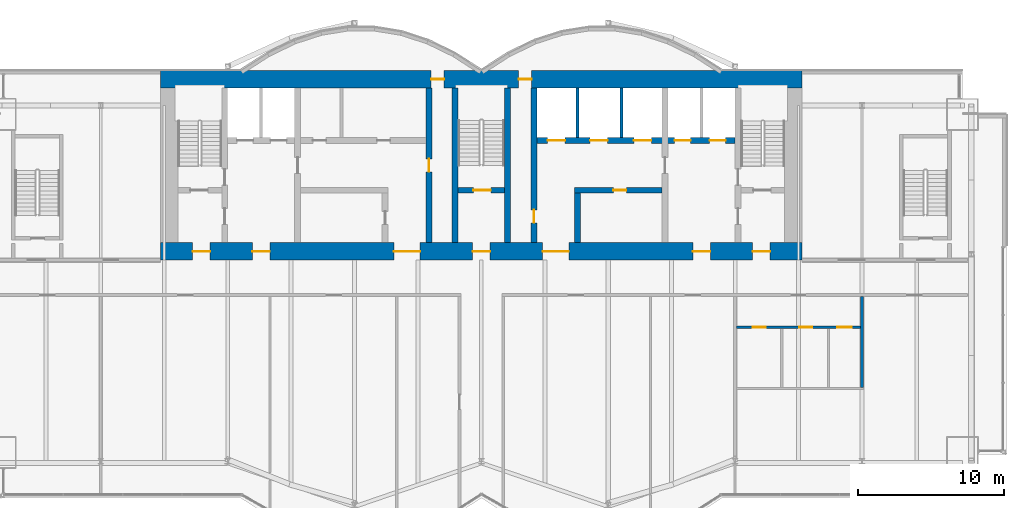
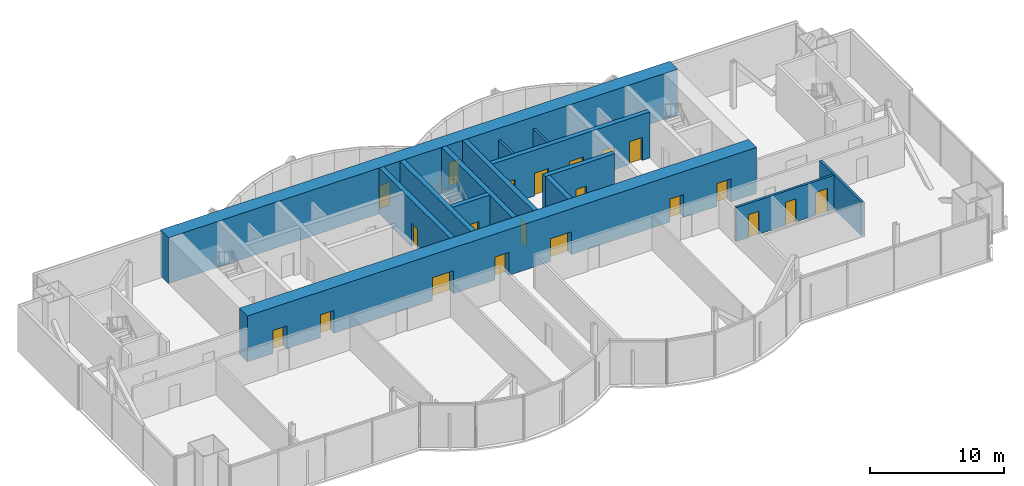
# One storey, part 14 of 19: 21 doors, 14 walls, 21 openings.
"""IFC4 building model written with IfcOpenShell, lengths in metres."""

from ifc_helpers import new_model, si_unit, direction, frame, frame_2d, origin, place, context, subcontext, project, spatial, rectangle, extrude, material, layer, layer_set, type_object, element, fill, save


model = new_model("IFC4")

# Units and contexts
model_context = context("Model", 3, precision=1e-05, world=origin(), true_north=direction((0.0, 1.0)))
body_context = subcontext(model_context, "Body", "Model", "MODEL_VIEW")
ifc_project = project(units=[si_unit("LENGTHUNIT", "METRE"), si_unit("AREAUNIT", "SQUARE_METRE"), si_unit("VOLUMEUNIT", "CUBIC_METRE"), si_unit("PLANEANGLEUNIT", "RADIAN"), si_unit("MASSUNIT", "GRAM", prefix="KILO")], contexts=[model_context])

# Site, building, storey
site_placement = place(None, origin())
site = spatial("IfcSite", under=ifc_project, at=site_placement, CompositionType="ELEMENT")
building_placement = place(site_placement, origin())
building = spatial("IfcBuilding", under=site, at=building_placement, Name="Bicima Exchange Tower", CompositionType="ELEMENT")
storey_placement = place(building_placement, frame((0.0, 0.0, 258.199951171875)))
storey = spatial("IfcBuildingStorey", under=building, at=storey_placement, Name="L58", CompositionType="ELEMENT", Elevation=258.199951171875)

# Walls
ifc_material_1 = material(Name="Gypsum board partition")
ifc_layer_1 = layer(ifc_material_1, 0.199951171875)
ifc_layer_set_1 = layer_set([ifc_layer_1], Name="Gypsum board partition")
wall_type_1 = type_object("IfcWallType", Name="Fire-rated gypsum partition 200 EI120", PredefinedType="PARTITIONING", material=ifc_layer_set_1)
for number, where, z_axis, x_axis, name in (
    (1, (6.60009765625, -4.60009765625, 0.0), (0.0, 0.0, 1.0), (0.0, 1.0, 0.0), "partition wall 18"),
    (2, (9.60009765625, -4.60009765625, 0.0), (0.0, 0.0, 1.0), (0.0, 1.0, 0.0), "partition wall 19"),
):
    element("IfcWall", number, at=place(storey_placement, frame(where, z_axis=z_axis, x_axis=x_axis)), inside=storey, type_object=wall_type_1, Name=name, PredefinedType="PARTITIONING", context=body_context, shape_type="SweptSolid", body=[
        extrude(rectangle(XDim=3.400146484375, YDim=0.199951171875, at=frame_2d((1.7001953125, 0.0))), origin(), (0.0, 0.0, 1.0), 3.1181640625),
    ])

# Wall, openings, doors
ifc_layer_2 = layer(ifc_material_1, 0.199951171875)
ifc_layer_set_2 = layer_set([ifc_layer_2], Name="Gypsum board partition")
wall_type_2 = type_object("IfcWallType", Name="Fire-rated gypsum partition 200 EI60", PredefinedType="PARTITIONING", material=ifc_layer_set_2)
wall_1_placement = place(storey_placement, frame((17.5, -17.60009765625, 0.0), z_axis=(0.0, 0.0, 1.0), x_axis=(1.0, 0.0, 0.0)))
wall_1 = element("IfcWall", 3, at=wall_1_placement, inside=storey, type_object=wall_type_2, Name="partition wall 2", PredefinedType="PARTITIONING", context=body_context, shape_type="SweptSolid", body=[
    extrude(rectangle(XDim=8.5, YDim=0.199951171875, at=frame_2d((4.25, 0.0))), origin(), (0.0, 0.0, 1.0), 3.1181640625),
])
opening_1_placement = place(wall_1_placement, frame((1.10009765625, 0.0, 0.0)))
opening_1 = element("IfcOpeningElement", 4, at=opening_1_placement, cuts=wall_1, Name="Opening L58-014", PredefinedType="OPENING", context=body_context, shape_type="SweptSolid", body=[
    extrude(rectangle(XDim=0.89990234375, YDim=2.10009765625, at=frame_2d((0.449951171875, 1.050048828125))), frame((0.0, 0.11181640625, 0.0), z_axis=(0.0, -1.0, 0.0), x_axis=(1.0, 0.0, 0.0)), (0.0, 0.0, 1.0), 0.223876953125),
])
opening_2_placement = place(wall_1_placement, frame((4.300048828125, 0.0, 0.0)))
opening_2 = element("IfcOpeningElement", 5, at=opening_2_placement, cuts=wall_1, Name="Opening L58-015", PredefinedType="OPENING", context=body_context, shape_type="SweptSolid", body=[
    extrude(rectangle(XDim=0.89990234375, YDim=2.10009765625, at=frame_2d((0.449951171875, 1.050048828125))), frame((0.0, 0.11181640625, 0.0), z_axis=(0.0, -1.0, 0.0), x_axis=(1.0, 0.0, 0.0)), (0.0, 0.0, 1.0), 0.223876953125),
])
opening_3_placement = place(wall_1_placement, frame((6.89990234375, 0.0, 0.0)))
opening_3 = element("IfcOpeningElement", 6, at=opening_3_placement, cuts=wall_1, Name="Opening L58-016", PredefinedType="OPENING", context=body_context, shape_type="SweptSolid", body=[
    extrude(rectangle(XDim=1.0, YDim=2.10009765625, at=frame_2d((0.5, 1.050048828125))), frame((0.0, 0.11181640625, 0.0), z_axis=(0.0, -1.0, 0.0), x_axis=(1.0, 0.0, 0.0)), (0.0, 0.0, 1.0), 0.223876953125),
])
ifc_material_2 = material(Name="Steel fire door leaf", Category="steel")
door_type_1 = type_object("IfcDoorType", Name="Door 1000 swing FD30S", OperationType="SINGLE_SWING_LEFT", PredefinedType="DOOR", material=ifc_material_2)
door_1_placement = place(opening_3_placement, frame((1.0, 0.0, 0.0), z_axis=(0.0, 0.0, 1.0), x_axis=(-1.0, 0.0, 0.0)))
door_1 = element("IfcDoor", 7, at=door_1_placement, inside=storey, type_object=door_type_1, Name="Door", OperationType="SINGLE_SWING_LEFT", OverallHeight=2.10009765625, OverallWidth=1.0, PredefinedType="DOOR", context=body_context, shape_type="SweptSolid", body=[
    extrude(rectangle(XDim=1.0, YDim=2.10009765625, at=frame_2d((0.5, 1.050048828125))), frame((0.0, 0.02490234375, 0.0), z_axis=(0.0, -1.0, 0.0), x_axis=(1.0, 0.0, 0.0)), (0.0, 0.0, 1.0), 0.050048828125),
])
fill(opening_3, door_1)
door_type_2 = type_object("IfcDoorType", Name="Door 900 swing FD30S", OperationType="SINGLE_SWING_LEFT", PredefinedType="DOOR", material=ifc_material_2)
door_2_placement = place(opening_1_placement, frame((0.89990234375, 0.0, 0.0), z_axis=(0.0, 0.0, 1.0), x_axis=(-1.0, 0.0, 0.0)))
door_2 = element("IfcDoor", 8, at=door_2_placement, inside=storey, type_object=door_type_2, Name="Door", OperationType="SINGLE_SWING_RIGHT", OverallHeight=2.10009765625, OverallWidth=0.89990234375, PredefinedType="DOOR", context=body_context, shape_type="SweptSolid", body=[
    extrude(rectangle(XDim=0.89990234375, YDim=2.10009765625, at=frame_2d((0.449951171875, 1.050048828125))), frame((0.0, 0.02490234375, 0.0), z_axis=(0.0, -1.0, 0.0), x_axis=(1.0, 0.0, 0.0)), (0.0, 0.0, 1.0), 0.050048828125),
])
fill(opening_1, door_2)
door_3_placement = place(opening_2_placement, frame((0.89990234375, 0.0, 0.0), z_axis=(0.0, 0.0, 1.0), x_axis=(-1.0, 0.0, 0.0)))
door_3 = element("IfcDoor", 9, at=door_3_placement, inside=storey, type_object=door_type_2, Name="Door", OperationType="SINGLE_SWING_RIGHT", OverallHeight=2.10009765625, OverallWidth=0.89990234375, PredefinedType="DOOR", context=body_context, shape_type="SweptSolid", body=[
    extrude(rectangle(XDim=0.89990234375, YDim=2.10009765625, at=frame_2d((0.449951171875, 1.050048828125))), frame((0.0, 0.02490234375, 0.0), z_axis=(0.0, -1.0, 0.0), x_axis=(1.0, 0.0, 0.0)), (0.0, 0.0, 1.0), 0.050048828125),
])
fill(opening_2, door_3)

# Wall
wall_2_placement = place(storey_placement, frame((26.10009765625, -21.72509765625, 0.0), z_axis=(0.0, 0.0, 1.0), x_axis=(0.0, 1.0, 0.0)))
element("IfcWall", 10, at=wall_2_placement, inside=storey, type_object=wall_type_2, Name="partition wall 25", PredefinedType="PARTITIONING", context=body_context, shape_type="SweptSolid", body=[
    extrude(rectangle(XDim=6.22509765625, YDim=0.199951171875, at=frame_2d((3.112548828125, 0.0))), origin(), (0.0, 0.0, 1.0), 3.1181640625),
])

# Wall, openings, doors
ifc_material_3 = material(Name="Concrete C40/50", Category="concrete")
ifc_layer_3 = layer(ifc_material_3, 1.199951171875)
ifc_layer_set_3 = layer_set([ifc_layer_3], Name="Concrete C40/50")
wall_type_3 = type_object("IfcWallType", Name="RC core wall 1200 C40/50", PredefinedType="SHEAR", material=ifc_layer_set_3)
wall_3_placement = place(storey_placement, frame((-22.0, -0.60009765625, 0.0), z_axis=(0.0, 0.0, 1.0), x_axis=(1.0, 0.0, 0.0)))
wall_3 = element("IfcWall", 11, at=wall_3_placement, inside=storey, type_object=wall_type_3, Name="Core wall north", PredefinedType="SHEAR", context=body_context, shape_type="SweptSolid", body=[
    extrude(rectangle(XDim=44.0, YDim=1.199951171875, at=frame_2d((22.0, 0.0))), origin(), (0.0, 0.0, 1.0), 4.199951171875),
])
opening_4_placement = place(wall_3_placement, frame((18.550048828125, 0.0, 0.0)))
opening_4 = element("IfcOpeningElement", 12, at=opening_4_placement, cuts=wall_3, Name="Opening L58-C16", PredefinedType="OPENING", context=body_context, shape_type="SweptSolid", body=[
    extrude(rectangle(XDim=0.89990234375, YDim=2.10009765625, at=frame_2d((0.449951171875, 1.050048828125))), frame((0.0, 0.61181640625, 0.0), z_axis=(0.0, -1.0, 0.0), x_axis=(1.0, 0.0, 0.0)), (0.0, 0.0, 1.0), 1.223876953125),
])
opening_5_placement = place(wall_3_placement, frame((24.550048828125, 0.0, 0.0)))
opening_5 = element("IfcOpeningElement", 13, at=opening_5_placement, cuts=wall_3, Name="Opening L58-C17", PredefinedType="OPENING", context=body_context, shape_type="SweptSolid", body=[
    extrude(rectangle(XDim=0.89990234375, YDim=2.10009765625, at=frame_2d((0.449951171875, 1.050048828125))), frame((0.0, 0.61181640625, 0.0), z_axis=(0.0, -1.0, 0.0), x_axis=(1.0, 0.0, 0.0)), (0.0, 0.0, 1.0), 1.223876953125),
])
door_4_placement = place(opening_4_placement, origin())
door_4 = element("IfcDoor", 14, at=door_4_placement, inside=storey, type_object=door_type_2, Name="Core door", OperationType="SINGLE_SWING_LEFT", OverallHeight=2.10009765625, OverallWidth=0.89990234375, PredefinedType="DOOR", context=body_context, shape_type="SweptSolid", body=[
    extrude(rectangle(XDim=0.89990234375, YDim=2.10009765625, at=frame_2d((0.449951171875, 1.050048828125))), frame((0.0, 0.02490234375, 0.0), z_axis=(0.0, -1.0, 0.0), x_axis=(1.0, 0.0, 0.0)), (0.0, 0.0, 1.0), 0.050048828125),
])
fill(opening_4, door_4)
door_5_placement = place(opening_5_placement, origin())
door_5 = element("IfcDoor", 15, at=door_5_placement, inside=storey, type_object=door_type_2, Name="Core door", OperationType="SINGLE_SWING_LEFT", OverallHeight=2.10009765625, OverallWidth=0.89990234375, PredefinedType="DOOR", context=body_context, shape_type="SweptSolid", body=[
    extrude(rectangle(XDim=0.89990234375, YDim=2.10009765625, at=frame_2d((0.449951171875, 1.050048828125))), frame((0.0, 0.02490234375, 0.0), z_axis=(0.0, -1.0, 0.0), x_axis=(1.0, 0.0, 0.0)), (0.0, 0.0, 1.0), 0.050048828125),
])
fill(opening_5, door_5)

wall_4_placement = place(storey_placement, frame((-22.0, -12.39990234375, 0.0), z_axis=(0.0, 0.0, 1.0), x_axis=(1.0, 0.0, 0.0)))
wall_4 = element("IfcWall", 16, at=wall_4_placement, inside=storey, type_object=wall_type_3, Name="Core wall south", PredefinedType="SHEAR", context=body_context, shape_type="SweptSolid", body=[
    extrude(rectangle(XDim=44.0, YDim=1.199951171875, at=frame_2d((22.0, 0.0))), origin(), (0.0, 0.0, 1.0), 4.199951171875),
])
opening_6_placement = place(wall_4_placement, frame((2.199951171875, 0.0, 0.0)))
opening_6 = element("IfcOpeningElement", 17, at=opening_6_placement, cuts=wall_4, Name="Opening L58-C18", PredefinedType="OPENING", context=body_context, shape_type="SweptSolid", body=[
    extrude(rectangle(XDim=1.199951171875, YDim=2.10009765625, at=frame_2d((0.60009765625, 1.050048828125))), frame((0.0, 0.61181640625, 0.0), z_axis=(0.0, -1.0, 0.0), x_axis=(1.0, 0.0, 0.0)), (0.0, 0.0, 1.0), 1.223876953125),
])
opening_7_placement = place(wall_4_placement, frame((21.39990234375, 0.0, 0.0)))
opening_7 = element("IfcOpeningElement", 18, at=opening_7_placement, cuts=wall_4, Name="Opening L58-C19", PredefinedType="OPENING", context=body_context, shape_type="SweptSolid", body=[
    extrude(rectangle(XDim=1.199951171875, YDim=2.10009765625, at=frame_2d((0.60009765625, 1.050048828125))), frame((0.0, 0.61181640625, 0.0), z_axis=(0.0, -1.0, 0.0), x_axis=(1.0, 0.0, 0.0)), (0.0, 0.0, 1.0), 1.223876953125),
])
opening_8_placement = place(wall_4_placement, frame((40.60009765625, 0.0, 0.0)))
opening_8 = element("IfcOpeningElement", 19, at=opening_8_placement, cuts=wall_4, Name="Opening L58-C20", PredefinedType="OPENING", context=body_context, shape_type="SweptSolid", body=[
    extrude(rectangle(XDim=1.199951171875, YDim=2.10009765625, at=frame_2d((0.60009765625, 1.050048828125))), frame((0.0, 0.61181640625, 0.0), z_axis=(0.0, -1.0, 0.0), x_axis=(1.0, 0.0, 0.0)), (0.0, 0.0, 1.0), 1.223876953125),
])
opening_9_placement = place(wall_4_placement, frame((16.0, 0.0, 0.0)))
opening_9 = element("IfcOpeningElement", 20, at=opening_9_placement, cuts=wall_4, Name="Opening L58-C21", PredefinedType="OPENING", context=body_context, shape_type="SweptSolid", body=[
    extrude(rectangle(XDim=1.800048828125, YDim=2.10009765625, at=frame_2d((0.89990234375, 1.050048828125))), frame((0.0, 0.61181640625, 0.0), z_axis=(0.0, -1.0, 0.0), x_axis=(1.0, 0.0, 0.0)), (0.0, 0.0, 1.0), 1.223876953125),
])
opening_10_placement = place(wall_4_placement, frame((6.300048828125, 0.0, 0.0)))
opening_10 = element("IfcOpeningElement", 21, at=opening_10_placement, cuts=wall_4, Name="Opening L58-C22", PredefinedType="OPENING", context=body_context, shape_type="SweptSolid", body=[
    extrude(rectangle(XDim=1.199951171875, YDim=2.10009765625, at=frame_2d((0.60009765625, 1.050048828125))), frame((0.0, 0.61181640625, 0.0), z_axis=(0.0, -1.0, 0.0), x_axis=(1.0, 0.0, 0.0)), (0.0, 0.0, 1.0), 1.223876953125),
])
opening_11_placement = place(wall_4_placement, frame((26.199951171875, 0.0, 0.0)))
opening_11 = element("IfcOpeningElement", 22, at=opening_11_placement, cuts=wall_4, Name="Opening L58-C23", PredefinedType="OPENING", context=body_context, shape_type="SweptSolid", body=[
    extrude(rectangle(XDim=1.800048828125, YDim=2.10009765625, at=frame_2d((0.89990234375, 1.050048828125))), frame((0.0, 0.61181640625, 0.0), z_axis=(0.0, -1.0, 0.0), x_axis=(1.0, 0.0, 0.0)), (0.0, 0.0, 1.0), 1.223876953125),
])
opening_12_placement = place(wall_4_placement, frame((36.5, 0.0, 0.0)))
opening_12 = element("IfcOpeningElement", 23, at=opening_12_placement, cuts=wall_4, Name="Opening L58-C24", PredefinedType="OPENING", context=body_context, shape_type="SweptSolid", body=[
    extrude(rectangle(XDim=1.199951171875, YDim=2.10009765625, at=frame_2d((0.60009765625, 1.050048828125))), frame((0.0, 0.61181640625, 0.0), z_axis=(0.0, -1.0, 0.0), x_axis=(1.0, 0.0, 0.0)), (0.0, 0.0, 1.0), 1.223876953125),
])
door_type_3 = type_object("IfcDoorType", Name="Door 1200 swing FD60S", OperationType="SINGLE_SWING_LEFT", PredefinedType="DOOR", material=ifc_material_2)
door_6_placement = place(opening_6_placement, frame((1.199951171875, 0.0, 0.0), z_axis=(0.0, 0.0, 1.0), x_axis=(-1.0, 0.0, 0.0)))
door_6 = element("IfcDoor", 24, at=door_6_placement, inside=storey, type_object=door_type_3, Name="Core door", OperationType="SINGLE_SWING_RIGHT", OverallHeight=2.10009765625, OverallWidth=1.199951171875, PredefinedType="DOOR", context=body_context, shape_type="SweptSolid", body=[
    extrude(rectangle(XDim=1.199951171875, YDim=2.10009765625, at=frame_2d((0.60009765625, 1.050048828125))), frame((0.0, 0.02490234375, 0.0), z_axis=(0.0, -1.0, 0.0), x_axis=(1.0, 0.0, 0.0)), (0.0, 0.0, 1.0), 0.050048828125),
])
fill(opening_6, door_6)
door_7_placement = place(opening_7_placement, frame((1.199951171875, 0.0, 0.0), z_axis=(0.0, 0.0, 1.0), x_axis=(-1.0, 0.0, 0.0)))
door_7 = element("IfcDoor", 25, at=door_7_placement, inside=storey, type_object=door_type_3, Name="Core door", OperationType="SINGLE_SWING_RIGHT", OverallHeight=2.10009765625, OverallWidth=1.199951171875, PredefinedType="DOOR", context=body_context, shape_type="SweptSolid", body=[
    extrude(rectangle(XDim=1.199951171875, YDim=2.10009765625, at=frame_2d((0.60009765625, 1.050048828125))), frame((0.0, 0.02490234375, 0.0), z_axis=(0.0, -1.0, 0.0), x_axis=(1.0, 0.0, 0.0)), (0.0, 0.0, 1.0), 0.050048828125),
])
fill(opening_7, door_7)
door_8_placement = place(opening_8_placement, frame((1.199951171875, 0.0, 0.0), z_axis=(0.0, 0.0, 1.0), x_axis=(-1.0, 0.0, 0.0)))
door_8 = element("IfcDoor", 26, at=door_8_placement, inside=storey, type_object=door_type_3, Name="Core door", OperationType="SINGLE_SWING_RIGHT", OverallHeight=2.10009765625, OverallWidth=1.199951171875, PredefinedType="DOOR", context=body_context, shape_type="SweptSolid", body=[
    extrude(rectangle(XDim=1.199951171875, YDim=2.10009765625, at=frame_2d((0.60009765625, 1.050048828125))), frame((0.0, 0.02490234375, 0.0), z_axis=(0.0, -1.0, 0.0), x_axis=(1.0, 0.0, 0.0)), (0.0, 0.0, 1.0), 0.050048828125),
])
fill(opening_8, door_8)
door_9_placement = place(opening_10_placement, frame((1.199951171875, 0.0, 0.0), z_axis=(0.0, 0.0, 1.0), x_axis=(-1.0, 0.0, 0.0)))
door_9 = element("IfcDoor", 27, at=door_9_placement, inside=storey, type_object=door_type_3, Name="Core door", OperationType="SINGLE_SWING_RIGHT", OverallHeight=2.10009765625, OverallWidth=1.199951171875, PredefinedType="DOOR", context=body_context, shape_type="SweptSolid", body=[
    extrude(rectangle(XDim=1.199951171875, YDim=2.10009765625, at=frame_2d((0.60009765625, 1.050048828125))), frame((0.0, 0.02490234375, 0.0), z_axis=(0.0, -1.0, 0.0), x_axis=(1.0, 0.0, 0.0)), (0.0, 0.0, 1.0), 0.050048828125),
])
fill(opening_10, door_9)
door_10_placement = place(opening_12_placement, frame((1.199951171875, 0.0, 0.0), z_axis=(0.0, 0.0, 1.0), x_axis=(-1.0, 0.0, 0.0)))
door_10 = element("IfcDoor", 28, at=door_10_placement, inside=storey, type_object=door_type_3, Name="Core door", OperationType="SINGLE_SWING_RIGHT", OverallHeight=2.10009765625, OverallWidth=1.199951171875, PredefinedType="DOOR", context=body_context, shape_type="SweptSolid", body=[
    extrude(rectangle(XDim=1.199951171875, YDim=2.10009765625, at=frame_2d((0.60009765625, 1.050048828125))), frame((0.0, 0.02490234375, 0.0), z_axis=(0.0, -1.0, 0.0), x_axis=(1.0, 0.0, 0.0)), (0.0, 0.0, 1.0), 0.050048828125),
])
fill(opening_12, door_10)
door_type_4 = type_object("IfcDoorType", Name="Door 1800 double swing FD30S", OperationType="DOUBLE_DOOR_SINGLE_SWING", PredefinedType="DOOR", material=ifc_material_2)
door_11_placement = place(opening_9_placement, origin())
door_11 = element("IfcDoor", 29, at=door_11_placement, inside=storey, type_object=door_type_4, Name="Core door", OperationType="SINGLE_SWING_LEFT", OverallHeight=2.10009765625, OverallWidth=1.800048828125, PredefinedType="DOOR", context=body_context, shape_type="SweptSolid", body=[
    extrude(rectangle(XDim=1.800048828125, YDim=2.10009765625, at=frame_2d((0.89990234375, 1.050048828125))), frame((0.0, 0.02490234375, 0.0), z_axis=(0.0, -1.0, 0.0), x_axis=(1.0, 0.0, 0.0)), (0.0, 0.0, 1.0), 0.050048828125),
])
fill(opening_9, door_11)
door_12_placement = place(opening_11_placement, origin())
door_12 = element("IfcDoor", 30, at=door_12_placement, inside=storey, type_object=door_type_4, Name="Core door", OperationType="SINGLE_SWING_LEFT", OverallHeight=2.10009765625, OverallWidth=1.800048828125, PredefinedType="DOOR", context=body_context, shape_type="SweptSolid", body=[
    extrude(rectangle(XDim=1.800048828125, YDim=2.10009765625, at=frame_2d((0.89990234375, 1.050048828125))), frame((0.0, 0.02490234375, 0.0), z_axis=(0.0, -1.0, 0.0), x_axis=(1.0, 0.0, 0.0)), (0.0, 0.0, 1.0), 0.050048828125),
])
fill(opening_11, door_12)

# Wall, opening, door
ifc_layer_4 = layer(ifc_material_3, 0.39990234375)
ifc_layer_set_4 = layer_set([ifc_layer_4], Name="Concrete C40/50")
wall_type_4 = type_object("IfcWallType", Name="RC core wall 400 C40/50", PredefinedType="SHEAR", material=ifc_layer_set_4)
wall_5_placement = place(storey_placement, frame((6.39990234375, -8.199951171875, 0.0), z_axis=(0.0, 0.0, 1.0), x_axis=(1.0, 0.0, 0.0)))
wall_5 = element("IfcWall", 31, at=wall_5_placement, inside=storey, type_object=wall_type_4, Name="shear wall 4", PredefinedType="SHEAR", context=body_context, shape_type="SweptSolid", body=[
    extrude(rectangle(XDim=6.0, YDim=0.39990234375, at=frame_2d((3.0, 0.0))), origin(), (0.0, 0.0, 1.0), 4.199951171875),
])
opening_13_placement = place(wall_5_placement, frame((2.64990234375, 0.0, 0.0)))
opening_13 = element("IfcOpeningElement", 32, at=opening_13_placement, cuts=wall_5, Name="Opening L58-C15", PredefinedType="OPENING", context=body_context, shape_type="SweptSolid", body=[
    extrude(rectangle(XDim=0.89990234375, YDim=2.10009765625, at=frame_2d((0.449951171875, 1.050048828125))), frame((0.0, 0.2119140625, 0.0), z_axis=(0.0, -1.0, 0.0), x_axis=(1.0, 0.0, 0.0)), (0.0, 0.0, 1.0), 0.423828125),
])
door_13_placement = place(opening_13_placement, frame((0.89990234375, 0.0, 0.0), z_axis=(0.0, 0.0, 1.0), x_axis=(-1.0, 0.0, 0.0)))
door_13 = element("IfcDoor", 33, at=door_13_placement, inside=storey, type_object=door_type_2, Name="Core door", OperationType="SINGLE_SWING_RIGHT", OverallHeight=2.10009765625, OverallWidth=0.89990234375, PredefinedType="DOOR", context=body_context, shape_type="SweptSolid", body=[
    extrude(rectangle(XDim=0.89990234375, YDim=2.10009765625, at=frame_2d((0.449951171875, 1.050048828125))), frame((0.0, 0.02490234375, 0.0), z_axis=(0.0, -1.0, 0.0), x_axis=(1.0, 0.0, 0.0)), (0.0, 0.0, 1.0), 0.050048828125),
])
fill(opening_13, door_13)

# Wall, openings, doors
wall_6_placement = place(storey_placement, frame((3.800048828125, -4.800048828125, 0.0), z_axis=(0.0, 0.0, 1.0), x_axis=(1.0, 0.0, 0.0)))
wall_6 = element("IfcWall", 34, at=wall_6_placement, inside=storey, type_object=wall_type_4, Name="shear wall 7", PredefinedType="SHEAR", context=body_context, shape_type="SweptSolid", body=[
    extrude(rectangle(XDim=13.599853515625, YDim=0.39990234375, at=frame_2d((6.7998046875, 0.0))), origin(), (0.0, 0.0, 1.0), 4.199951171875),
])
opening_14_placement = place(wall_6_placement, frame((0.75, 0.0, 0.0)))
opening_14 = element("IfcOpeningElement", 35, at=opening_14_placement, cuts=wall_6, Name="Opening LD-HB1-L58", PredefinedType="OPENING", context=body_context, shape_type="SweptSolid", body=[
    extrude(rectangle(XDim=1.199951171875, YDim=2.10009765625, at=frame_2d((0.60009765625, 1.050048828125))), frame((0.0, 0.2119140625, 0.0), z_axis=(0.0, -1.0, 0.0), x_axis=(1.0, 0.0, 0.0)), (0.0, 0.0, 1.0), 0.423828125),
])
opening_15_placement = place(wall_6_placement, frame((3.64990234375, 0.0, 0.0)))
opening_15 = element("IfcOpeningElement", 36, at=opening_15_placement, cuts=wall_6, Name="Opening LD-HB2-L58", PredefinedType="OPENING", context=body_context, shape_type="SweptSolid", body=[
    extrude(rectangle(XDim=1.199951171875, YDim=2.10009765625, at=frame_2d((0.60009765625, 1.050048828125))), frame((0.0, 0.2119140625, 0.0), z_axis=(0.0, -1.0, 0.0), x_axis=(1.0, 0.0, 0.0)), (0.0, 0.0, 1.0), 0.423828125),
])
opening_16_placement = place(wall_6_placement, frame((6.64990234375, 0.0, 0.0)))
opening_16 = element("IfcOpeningElement", 37, at=opening_16_placement, cuts=wall_6, Name="Opening LD-HB3-L58", PredefinedType="OPENING", context=body_context, shape_type="SweptSolid", body=[
    extrude(rectangle(XDim=1.199951171875, YDim=2.10009765625, at=frame_2d((0.60009765625, 1.050048828125))), frame((0.0, 0.2119140625, 0.0), z_axis=(0.0, -1.0, 0.0), x_axis=(1.0, 0.0, 0.0)), (0.0, 0.0, 1.0), 0.423828125),
])
opening_17_placement = place(wall_6_placement, frame((9.449951171875, 0.0, 0.0)))
opening_17 = element("IfcOpeningElement", 38, at=opening_17_placement, cuts=wall_6, Name="Opening LD-FF2-L58", PredefinedType="OPENING", context=body_context, shape_type="SweptSolid", body=[
    extrude(rectangle(XDim=1.10009765625, YDim=2.10009765625, at=frame_2d((0.550048828125, 1.050048828125))), frame((0.0, 0.2119140625, 0.0), z_axis=(0.0, -1.0, 0.0), x_axis=(1.0, 0.0, 0.0)), (0.0, 0.0, 1.0), 0.423828125),
])
opening_18_placement = place(wall_6_placement, frame((11.85009765625, 0.0, 0.0)))
opening_18 = element("IfcOpeningElement", 39, at=opening_18_placement, cuts=wall_6, Name="Opening LD-SV1-L58", PredefinedType="OPENING", context=body_context, shape_type="SweptSolid", body=[
    extrude(rectangle(XDim=1.10009765625, YDim=2.10009765625, at=frame_2d((0.550048828125, 1.050048828125))), frame((0.0, 0.2119140625, 0.0), z_axis=(0.0, -1.0, 0.0), x_axis=(1.0, 0.0, 0.0)), (0.0, 0.0, 1.0), 0.423828125),
])
ifc_material_4 = material(Name="Stainless steel", Category="steel")
door_type_5 = type_object("IfcDoorType", Name="Lift landing door 1100 sliding", OperationType="DOUBLE_DOOR_SLIDING", PredefinedType="DOOR", material=ifc_material_4)
door_14_placement = place(opening_17_placement, origin())
door_14 = element("IfcDoor", 40, at=door_14_placement, inside=storey, type_object=door_type_5, Name="Lift landing door FF2", OperationType="DOUBLE_DOOR_SLIDING", OverallHeight=2.10009765625, OverallWidth=1.10009765625, PredefinedType="DOOR", context=body_context, shape_type="SweptSolid", body=[
    extrude(rectangle(XDim=1.10009765625, YDim=2.10009765625, at=frame_2d((0.550048828125, 1.050048828125))), frame((0.0, 0.02490234375, 0.0), z_axis=(0.0, -1.0, 0.0), x_axis=(1.0, 0.0, 0.0)), (0.0, 0.0, 1.0), 0.050048828125),
])
fill(opening_17, door_14)
door_15_placement = place(opening_18_placement, origin())
door_15 = element("IfcDoor", 41, at=door_15_placement, inside=storey, type_object=door_type_5, Name="Lift landing door SV1", OperationType="DOUBLE_DOOR_SLIDING", OverallHeight=2.10009765625, OverallWidth=1.10009765625, PredefinedType="DOOR", context=body_context, shape_type="SweptSolid", body=[
    extrude(rectangle(XDim=1.10009765625, YDim=2.10009765625, at=frame_2d((0.550048828125, 1.050048828125))), frame((0.0, 0.02490234375, 0.0), z_axis=(0.0, -1.0, 0.0), x_axis=(1.0, 0.0, 0.0)), (0.0, 0.0, 1.0), 0.050048828125),
])
fill(opening_18, door_15)
door_type_6 = type_object("IfcDoorType", Name="Lift landing door 1200 sliding", OperationType="DOUBLE_DOOR_SLIDING", PredefinedType="DOOR", material=ifc_material_4)
door_16_placement = place(opening_14_placement, origin())
door_16 = element("IfcDoor", 42, at=door_16_placement, inside=storey, type_object=door_type_6, Name="Lift landing door HB1", OperationType="DOUBLE_DOOR_SLIDING", OverallHeight=2.10009765625, OverallWidth=1.199951171875, PredefinedType="DOOR", context=body_context, shape_type="SweptSolid", body=[
    extrude(rectangle(XDim=1.199951171875, YDim=2.10009765625, at=frame_2d((0.60009765625, 1.050048828125))), frame((0.0, 0.02490234375, 0.0), z_axis=(0.0, -1.0, 0.0), x_axis=(1.0, 0.0, 0.0)), (0.0, 0.0, 1.0), 0.050048828125),
])
fill(opening_14, door_16)
door_17_placement = place(opening_15_placement, origin())
door_17 = element("IfcDoor", 43, at=door_17_placement, inside=storey, type_object=door_type_6, Name="Lift landing door HB2", OperationType="DOUBLE_DOOR_SLIDING", OverallHeight=2.10009765625, OverallWidth=1.199951171875, PredefinedType="DOOR", context=body_context, shape_type="SweptSolid", body=[
    extrude(rectangle(XDim=1.199951171875, YDim=2.10009765625, at=frame_2d((0.60009765625, 1.050048828125))), frame((0.0, 0.02490234375, 0.0), z_axis=(0.0, -1.0, 0.0), x_axis=(1.0, 0.0, 0.0)), (0.0, 0.0, 1.0), 0.050048828125),
])
fill(opening_15, door_17)
door_18_placement = place(opening_16_placement, origin())
door_18 = element("IfcDoor", 44, at=door_18_placement, inside=storey, type_object=door_type_6, Name="Lift landing door HB3", OperationType="DOUBLE_DOOR_SLIDING", OverallHeight=2.10009765625, OverallWidth=1.199951171875, PredefinedType="DOOR", context=body_context, shape_type="SweptSolid", body=[
    extrude(rectangle(XDim=1.199951171875, YDim=2.10009765625, at=frame_2d((0.60009765625, 1.050048828125))), frame((0.0, 0.02490234375, 0.0), z_axis=(0.0, -1.0, 0.0), x_axis=(1.0, 0.0, 0.0)), (0.0, 0.0, 1.0), 0.050048828125),
])
fill(opening_16, door_18)

# Wall, opening, door
wall_7_placement = place(storey_placement, frame((-3.60009765625, -11.800048828125, 0.0), z_axis=(0.0, 0.0, 1.0), x_axis=(0.0, 1.0, 0.0)))
wall_7 = element("IfcWall", 45, at=wall_7_placement, inside=storey, type_object=wall_type_4, Name="shear wall 13", PredefinedType="SHEAR", context=body_context, shape_type="SweptSolid", body=[
    extrude(rectangle(XDim=10.60009765625, YDim=0.39990234375, at=frame_2d((5.300048828125, 0.0))), origin(), (0.0, 0.0, 1.0), 4.199951171875),
])
opening_19_placement = place(wall_7_placement, frame((4.85009765625, 0.0, 0.0)))
opening_19 = element("IfcOpeningElement", 46, at=opening_19_placement, cuts=wall_7, Name="Opening L58-C10", PredefinedType="OPENING", context=body_context, shape_type="SweptSolid", body=[
    extrude(rectangle(XDim=0.89990234375, YDim=2.10009765625, at=frame_2d((0.449951171875, 1.050048828125))), frame((0.0, 0.2119140625, 0.0), z_axis=(0.0, -1.0, 0.0), x_axis=(1.0, 0.0, 0.0)), (0.0, 0.0, 1.0), 0.423828125),
])
door_19_placement = place(opening_19_placement, frame((0.89990234375, 0.0, 0.0), z_axis=(0.0, 0.0, 1.0), x_axis=(-1.0, 0.0, 0.0)))
door_19 = element("IfcDoor", 47, at=door_19_placement, inside=storey, type_object=door_type_2, Name="Core door", OperationType="SINGLE_SWING_LEFT", OverallHeight=2.10009765625, OverallWidth=0.89990234375, PredefinedType="DOOR", context=body_context, shape_type="SweptSolid", body=[
    extrude(rectangle(XDim=0.89990234375, YDim=2.10009765625, at=frame_2d((0.449951171875, 1.050048828125))), frame((0.0, 0.02490234375, 0.0), z_axis=(0.0, -1.0, 0.0), x_axis=(1.0, 0.0, 0.0)), (0.0, 0.0, 1.0), 0.050048828125),
])
fill(opening_19, door_19)

wall_8_placement = place(storey_placement, frame((3.60009765625, -11.800048828125, 0.0), z_axis=(0.0, 0.0, 1.0), x_axis=(0.0, 1.0, 0.0)))
wall_8 = element("IfcWall", 48, at=wall_8_placement, inside=storey, type_object=wall_type_4, Name="shear wall 16", PredefinedType="SHEAR", context=body_context, shape_type="SweptSolid", body=[
    extrude(rectangle(XDim=10.60009765625, YDim=0.39990234375, at=frame_2d((5.300048828125, 0.0))), origin(), (0.0, 0.0, 1.0), 4.199951171875),
])
opening_20_placement = place(wall_8_placement, frame((1.35009765625, 0.0, 0.0)))
opening_20 = element("IfcOpeningElement", 49, at=opening_20_placement, cuts=wall_8, Name="Opening L58-C11", PredefinedType="OPENING", context=body_context, shape_type="SweptSolid", body=[
    extrude(rectangle(XDim=0.89990234375, YDim=2.10009765625, at=frame_2d((0.449951171875, 1.050048828125))), frame((0.0, 0.2119140625, 0.0), z_axis=(0.0, -1.0, 0.0), x_axis=(1.0, 0.0, 0.0)), (0.0, 0.0, 1.0), 0.423828125),
])
door_20_placement = place(opening_20_placement, origin())
door_20 = element("IfcDoor", 50, at=door_20_placement, inside=storey, type_object=door_type_2, Name="Core door", OperationType="SINGLE_SWING_LEFT", OverallHeight=2.10009765625, OverallWidth=0.89990234375, PredefinedType="DOOR", context=body_context, shape_type="SweptSolid", body=[
    extrude(rectangle(XDim=0.89990234375, YDim=2.10009765625, at=frame_2d((0.449951171875, 1.050048828125))), frame((0.0, 0.02490234375, 0.0), z_axis=(0.0, -1.0, 0.0), x_axis=(1.0, 0.0, 0.0)), (0.0, 0.0, 1.0), 0.050048828125),
])
fill(opening_20, door_20)

# Wall
wall_9_placement = place(storey_placement, frame((6.60009765625, -11.800048828125, 0.0), z_axis=(0.0, 0.0, 1.0), x_axis=(0.0, 1.0, 0.0)))
element("IfcWall", 51, at=wall_9_placement, inside=storey, type_object=wall_type_4, Name="shear wall 17", PredefinedType="SHEAR", context=body_context, shape_type="SweptSolid", body=[
    extrude(rectangle(XDim=3.400146484375, YDim=0.39990234375, at=frame_2d((1.7001953125, 0.0))), origin(), (0.0, 0.0, 1.0), 4.199951171875),
])

# Wall, opening, door
ifc_material_5 = material(Name="Concrete C50/60", Category="concrete")
ifc_layer_5 = layer(ifc_material_5, 0.39990234375)
ifc_layer_set_5 = layer_set([ifc_layer_5], Name="Concrete C50/60")
wall_type_5 = type_object("IfcWallType", Name="RC core wall 400 C50/60", PredefinedType="SHEAR", material=ifc_layer_set_5)
wall_10_placement = place(storey_placement, frame((-1.60009765625, -8.199951171875, 0.0), z_axis=(0.0, 0.0, 1.0), x_axis=(1.0, 0.0, 0.0)))
wall_10 = element("IfcWall", 52, at=wall_10_placement, inside=storey, type_object=wall_type_5, Name="stair wall 3", PredefinedType="SHEAR", context=body_context, shape_type="SweptSolid", body=[
    extrude(rectangle(XDim=3.2001953125, YDim=0.39990234375, at=frame_2d((1.60009765625, 0.0))), origin(), (0.0, 0.0, 1.0), 4.199951171875),
])
opening_21_placement = place(wall_10_placement, frame((1.050048828125, 0.0, 0.0)))
opening_21 = element("IfcOpeningElement", 53, at=opening_21_placement, cuts=wall_10, Name="Opening L58-C03", PredefinedType="OPENING", context=body_context, shape_type="SweptSolid", body=[
    extrude(rectangle(XDim=1.199951171875, YDim=2.10009765625, at=frame_2d((0.60009765625, 1.050048828125))), frame((0.0, 0.2119140625, 0.0), z_axis=(0.0, -1.0, 0.0), x_axis=(1.0, 0.0, 0.0)), (0.0, 0.0, 1.0), 0.423828125),
])
door_21_placement = place(opening_21_placement, origin())
door_21 = element("IfcDoor", 54, at=door_21_placement, inside=storey, type_object=door_type_3, Name="Core door", OperationType="SINGLE_SWING_LEFT", OverallHeight=2.10009765625, OverallWidth=1.199951171875, PredefinedType="DOOR", context=body_context, shape_type="SweptSolid", body=[
    extrude(rectangle(XDim=1.199951171875, YDim=2.10009765625, at=frame_2d((0.60009765625, 1.050048828125))), frame((0.0, 0.02490234375, 0.0), z_axis=(0.0, -1.0, 0.0), x_axis=(1.0, 0.0, 0.0)), (0.0, 0.0, 1.0), 0.050048828125),
])
fill(opening_21, door_21)

# Walls
for number, where, z_axis, x_axis, name in (
    (55, (-1.800048828125, -11.800048828125, 0.0), (0.0, 0.0, 1.0), (0.0, 1.0, 0.0), "stair wall 14"),
    (56, (1.800048828125, -11.800048828125, 0.0), (0.0, 0.0, 1.0), (0.0, 1.0, 0.0), "stair wall 15"),
):
    element("IfcWall", number, at=place(storey_placement, frame(where, z_axis=z_axis, x_axis=x_axis)), inside=storey, type_object=wall_type_5, Name=name, PredefinedType="SHEAR", context=body_context, shape_type="SweptSolid", body=[
        extrude(rectangle(XDim=10.60009765625, YDim=0.39990234375, at=frame_2d((5.300048828125, 0.0))), origin(), (0.0, 0.0, 1.0), 4.199951171875),
    ])

save(model, "model.ifc")
